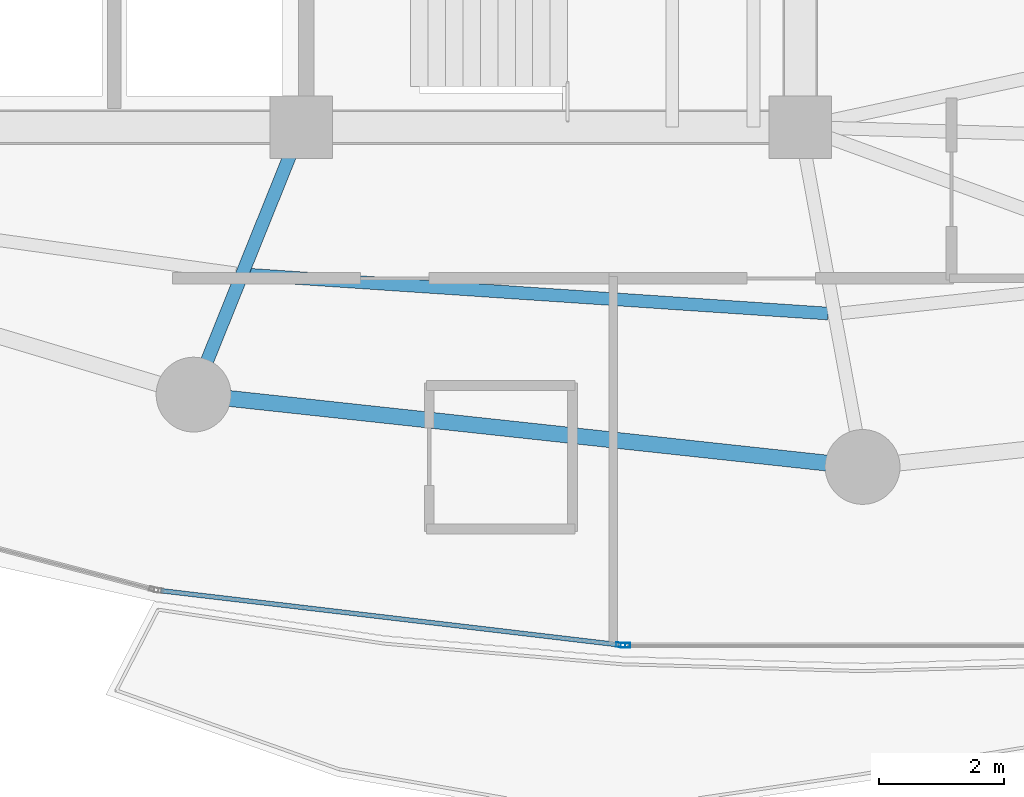
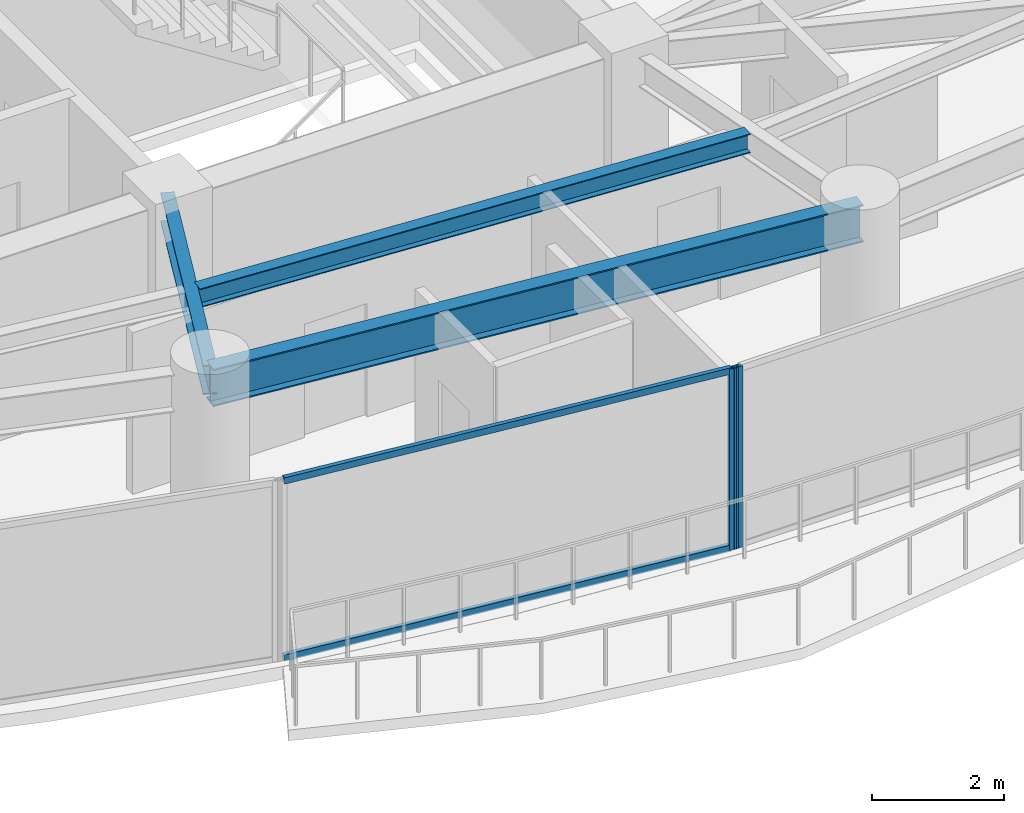
# One storey, part 6 of 33: 4 members, 3 beams, 2 elements without a shape of their own.
"""IFC4 building model written with IfcOpenShell, lengths in metres."""

from ifc_helpers import new_model, si_unit, direction, frame, origin, origin_2d, place, context, subcontext, project, spatial, hollow_rectangle, i_section, extrude, material, layer, layer_set, material_profile, profile_set, type_object, element, aggregate, save


model = new_model("IFC4")

# Units and contexts
model_context = context("Model", 3, precision=1e-05, world=origin(), true_north=direction((0.0, 1.0)))
body_context = subcontext(model_context, "Body", "Model", "MODEL_VIEW")
ifc_project = project(units=[si_unit("LENGTHUNIT", "METRE"), si_unit("AREAUNIT", "SQUARE_METRE"), si_unit("VOLUMEUNIT", "CUBIC_METRE"), si_unit("PLANEANGLEUNIT", "RADIAN"), si_unit("MASSUNIT", "GRAM", prefix="KILO")], contexts=[model_context])

# Site, building, storey
site_placement = place(None, origin())
site = spatial("IfcSite", under=ifc_project, at=site_placement, CompositionType="ELEMENT")
building_placement = place(site_placement, origin())
building = spatial("IfcBuilding", under=site, at=building_placement, Name="Kazevale Care Tower and Concert Hall", CompositionType="ELEMENT")
storey_placement = place(building_placement, frame((0.0, 0.0, 153.0)))
storey = spatial("IfcBuildingStorey", under=building, at=storey_placement, Name="L40", CompositionType="ELEMENT", Elevation=153.0)

# Curtain wall, member
ifc_material_1 = material(Name="Aluminium 6063-T6 and Low-E Glass", Category="aluminium")
ifc_layer = layer(ifc_material_1, 0.179931640625)
ifc_layer_set = layer_set([ifc_layer], Name="Aluminium 6063-T6 and Low-E Glass")
curtain_wall_type = type_object("IfcCurtainWallType", Name="Sheltered Concave Balcony Curtain Wall CW-5", PredefinedType="NOTDEFINED", material=ifc_layer_set)
curtain_wall_1_placement = place(storey_placement, origin())
curtain_wall_1 = element("IfcCurtainWall", 1, at=curtain_wall_1_placement, inside=storey, type_object=curtain_wall_type, Name="cw:L40:f06", PredefinedType="NOTDEFINED")
ifc_material_2 = material(Name="Aluminium 6063-T6", Category="aluminium")
ifc_material_profile_1 = material_profile(ifc_material_2, hollow_rectangle(XDim=0.074951171875, YDim=0.14990234375, WallThickness=0.00390625, at=origin_2d()), Name="ALU75x150x4")
ifc_profile_set_1 = profile_set([ifc_material_profile_1], Name="Aluminium 6063-T6")
member_type_1 = type_object("IfcMemberType", Name="CW-5 Mullion ALU75x150x4", PredefinedType="MULLION", material=ifc_profile_set_1)
member_1_placement = place(storey_placement, frame((41.196533203125, 15.2890625, 0.0), z_axis=(0.0, 0.0, 1.0), x_axis=(0.0, -1.0, 0.0)))
member_1 = element("IfcMember", 2, at=member_1_placement, type_object=member_type_1, Name="CW-5 mullion 2", PredefinedType="MULLION", context=body_context, shape_type="SweptSolid", body=[
    extrude(hollow_rectangle(XDim=0.074951171875, YDim=0.14990234375, WallThickness=0.00390625, at=origin_2d()), origin(), (0.0, 0.0, 1.0), 3.360107421875),
])
aggregate(curtain_wall_1, [member_1])

# Curtain wall, members
curtain_wall_2_placement = place(storey_placement, origin())
curtain_wall_2 = element("IfcCurtainWall", 3, at=curtain_wall_2_placement, inside=storey, type_object=curtain_wall_type, Name="cw:L40:f07", PredefinedType="NOTDEFINED")
member_2_placement = place(storey_placement, frame((41.121826171875, 15.29345703125, 0.0), z_axis=(0.0, 0.0, 1.0), x_axis=(-0.117372179238, -0.993087997884, 0.0)))
member_2 = element("IfcMember", 4, at=member_2_placement, type_object=member_type_1, Name="CW-5 mullion 1", PredefinedType="MULLION", context=body_context, shape_type="SweptSolid", body=[
    extrude(hollow_rectangle(XDim=0.074951171875, YDim=0.14990234375, WallThickness=0.00390625, at=origin_2d()), origin(), (0.0, 0.0, 1.0), 3.360107421875),
])
ifc_material_profile_2 = material_profile(ifc_material_2, hollow_rectangle(XDim=0.074951171875, YDim=0.1201171875, WallThickness=0.00390625, at=origin_2d()), Name="ALU75x120x4")
ifc_profile_set_2 = profile_set([ifc_material_profile_2], Name="Aluminium 6063-T6")
member_type_2 = type_object("IfcMemberType", Name="CW-5 Transom ALU75x120x4", PredefinedType="USERDEFINED", material=ifc_profile_set_2)
member_3_placement = place(storey_placement, frame((41.08447265625, 15.2978515625, 0.03759765625), z_axis=(-0.993087545854, 0.117376003806, 0.0), x_axis=(-0.117376003806, -0.993087545854, 0.0)))
member_3 = element("IfcMember", 5, at=member_3_placement, type_object=member_type_2, Name="CW-5 transom 1.1", ObjectType="TRANSOM", PredefinedType="USERDEFINED", context=body_context, shape_type="SweptSolid", body=[
    extrude(hollow_rectangle(XDim=0.074951171875, YDim=0.1201171875, WallThickness=0.00390625, at=origin_2d()), origin(), (0.0, 0.0, 1.0), 7.39013671875),
])
member_4_placement = place(storey_placement, frame((41.08447265625, 15.2978515625, 3.322509765625), z_axis=(-0.993087545854, 0.117376003806, 0.0), x_axis=(-0.117376003806, -0.993087545854, 0.0)))
member_4 = element("IfcMember", 6, at=member_4_placement, type_object=member_type_2, Name="CW-5 transom 1.2", ObjectType="TRANSOM", PredefinedType="USERDEFINED", context=body_context, shape_type="SweptSolid", body=[
    extrude(hollow_rectangle(XDim=0.074951171875, YDim=0.1201171875, WallThickness=0.00390625, at=origin_2d()), origin(), (0.0, 0.0, 1.0), 7.39013671875),
])
aggregate(curtain_wall_2, [member_2, member_3, member_4])

# Beams
ifc_material_3 = material(Name="Steel ASTM A572 Gr 50", Category="steel")
ifc_material_profile_3 = material_profile(ifc_material_3, i_section(OverallWidth=0.2119140625, OverallDepth=0.5439453125, WebThickness=0.01318359375, FlangeThickness=0.021240234375, at=origin_2d()), Name="W530x123")
ifc_profile_set_3 = profile_set([ifc_material_profile_3], Name="Steel ASTM A572 Gr 50")
beam_type_1 = type_object("IfcBeamType", Name="Radial Floor Girder W530x123", PredefinedType="BEAM", material=ifc_profile_set_3)
beam_1_placement = place(storey_placement, frame((36.0, 23.60009765625, 3.087890625), z_axis=(-0.373991766452, -0.927432023722, 0.0), x_axis=(0.927432023722, -0.373991766452, 0.0)))
element("IfcBeam", 7, at=beam_1_placement, inside=storey, type_object=beam_type_1, Name="beam:L40:rad:12", PredefinedType="BEAM", context=body_context, shape_type="SweptSolid", body=[
    extrude(i_section(OverallWidth=0.2119140625, OverallDepth=0.5439453125, WebThickness=0.01318359375, FlangeThickness=0.021240234375, at=origin_2d()), origin(), (0.0, 0.0, 1.0), 4.625732421875),
])
ifc_material_profile_4 = material_profile(ifc_material_3, i_section(OverallWidth=0.205078125, OverallDepth=0.35400390625, WebThickness=0.009521484375, FlangeThickness=0.016845703125, at=origin_2d()), Name="W360x79")
ifc_profile_set_4 = profile_set([ifc_material_profile_4], Name="Steel ASTM A572 Gr 50")
beam_type_2 = type_object("IfcBeamType", Name="Secondary Floor Joist W360x79", PredefinedType="JOIST", material=ifc_profile_set_4)
beam_2_placement = place(storey_placement, frame((35.153076171875, 21.23291015625, 3.18310546875), z_axis=(0.997761314569, -0.06687569925, 0.0), x_axis=(0.06687569925, 0.997761314569, 0.0)))
element("IfcBeam", 8, at=beam_2_placement, inside=storey, type_object=beam_type_2, Name="beam:L40:joist:12", PredefinedType="JOIST", context=body_context, shape_type="SweptSolid", body=[
    extrude(i_section(OverallWidth=0.205078125, OverallDepth=0.35400390625, WebThickness=0.009521484375, FlangeThickness=0.016845703125, at=origin_2d()), origin(), (0.0, 0.0, 1.0), 9.312744140625),
])
ifc_material_profile_5 = material_profile(ifc_material_3, i_section(OverallWidth=0.256103515625, OverallDepth=0.693115234375, WebThickness=0.014404296875, FlangeThickness=0.023681640625, at=origin_2d()), Name="W690x170")
ifc_profile_set_5 = profile_set([ifc_material_profile_5], Name="Steel ASTM A572 Gr 50")
beam_type_3 = type_object("IfcBeamType", Name="Waist Ring Beam W690x170", PredefinedType="BEAM", material=ifc_profile_set_5)
beam_3_placement = place(storey_placement, frame((34.27001953125, 19.31005859375, 3.013427734375), z_axis=(0.994205479487, -0.107496346724, 0.0), x_axis=(0.107496346724, 0.994205479487, 0.0)))
element("IfcBeam", 9, at=beam_3_placement, inside=storey, type_object=beam_type_3, Name="beam:L40:ring:12", PredefinedType="BEAM", context=body_context, shape_type="SweptSolid", body=[
    extrude(i_section(OverallWidth=0.256103515625, OverallDepth=0.693115234375, WebThickness=0.014404296875, FlangeThickness=0.023681640625, at=origin_2d()), origin(), (0.0, 0.0, 1.0), 10.79248046875),
])

save(model, "model.ifc")
